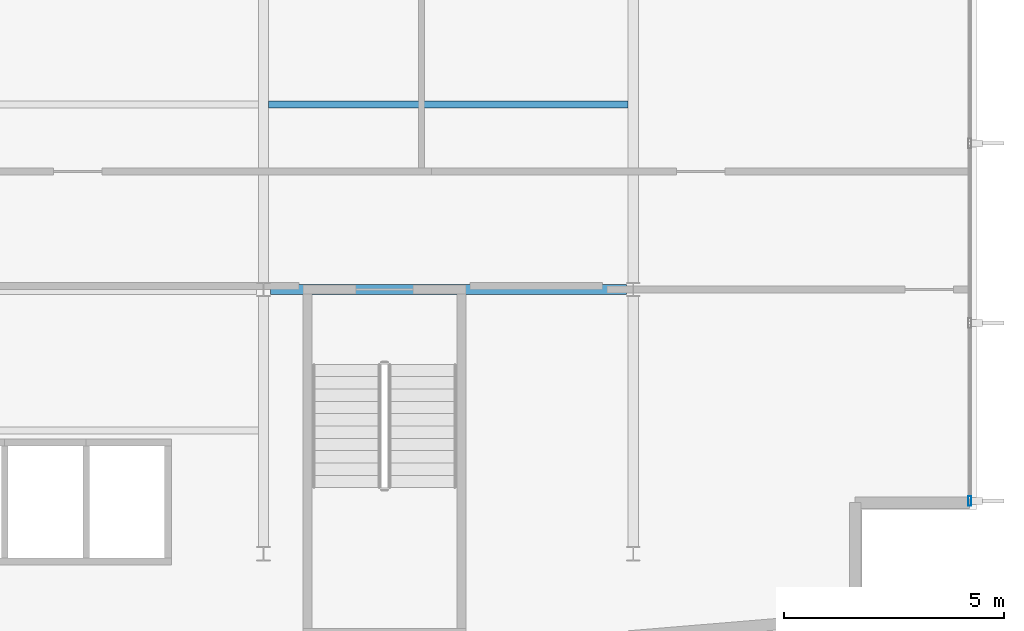
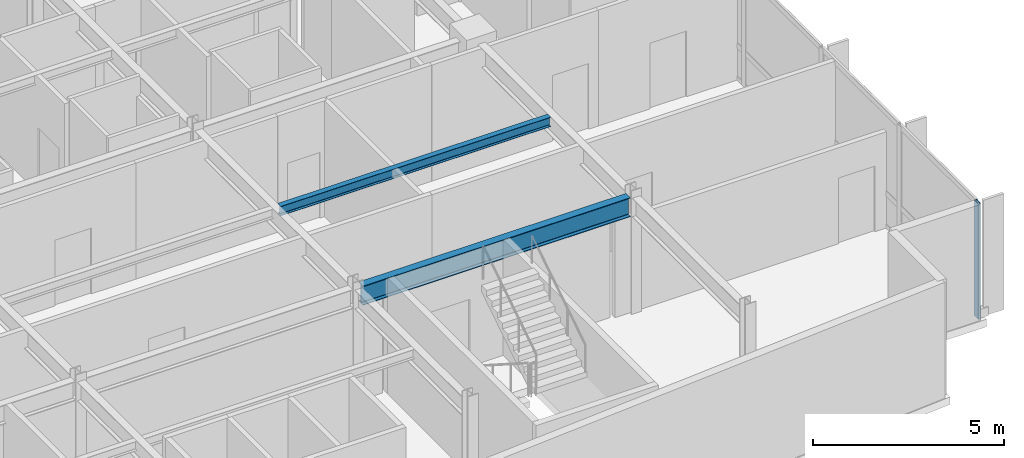
# One storey, part 5 of 22: 2 beams, 1 member, 1 element without a shape of its own.
"""IFC4 building model written with IfcOpenShell, lengths in metres."""

from ifc_helpers import new_model, si_unit, direction, frame, origin, origin_2d, place, context, subcontext, project, spatial, hollow_rectangle, i_section, extrude, material, layer, layer_set, material_profile, profile_set, type_object, element, aggregate, save


model = new_model("IFC4")

# Units and contexts
model_context = context("Model", 3, precision=1e-05, world=origin(), true_north=direction((0.0, 1.0)))
body_context = subcontext(model_context, "Body", "Model", "MODEL_VIEW")
ifc_project = project(units=[si_unit("LENGTHUNIT", "METRE"), si_unit("AREAUNIT", "SQUARE_METRE"), si_unit("VOLUMEUNIT", "CUBIC_METRE"), si_unit("PLANEANGLEUNIT", "RADIAN"), si_unit("MASSUNIT", "GRAM", prefix="KILO")], contexts=[model_context])

# Site, building, storey
site_placement = place(None, origin())
site = spatial("IfcSite", under=ifc_project, at=site_placement, CompositionType="ELEMENT")
building_placement = place(site_placement, origin())
building = spatial("IfcBuilding", under=site, at=building_placement, Name="Varnakote Quay Hospital", CompositionType="ELEMENT")
storey_placement = place(building_placement, frame((0.0, 0.0, 62.0)))
storey = spatial("IfcBuildingStorey", under=building, at=storey_placement, Name="L15", CompositionType="ELEMENT", Elevation=62.0)

# Beam
ifc_material_1 = material(Name="Structural steel AS/NZS 3679.1 Grade 350 L0 (fy 340 MPa)", Category="steel")
ifc_material_profile_1 = material_profile(ifc_material_1, i_section(OverallWidth=0.22900390625, OverallDepth=0.612060546875, WebThickness=0.011962890625, FlangeThickness=0.01953125, FilletRadius=0.013916015625, at=origin_2d()), Name="610UB125")
ifc_profile_set_1 = profile_set([ifc_material_profile_1], Name="Structural steel AS/NZS 3679.1 Grade 350 L0 (fy 340 MPa)")
beam_type_1 = type_object("IfcBeamType", Name="BM-STL-610UB125", PredefinedType="BEAM", material=ifc_profile_set_1)
beam_1_placement = place(storey_placement, frame((42.155517578125, 12.0, 3.404052734375), z_axis=(1.0, 0.0, 0.0), x_axis=(0.0, 1.0, 0.0)))
element("IfcBeam", 1, at=beam_1_placement, inside=storey, type_object=beam_type_1, Name="L15 Primary Floor Beam", PredefinedType="BEAM", context=body_context, shape_type="SweptSolid", body=[
    extrude(i_section(OverallWidth=0.22900390625, OverallDepth=0.612060546875, WebThickness=0.011962890625, FlangeThickness=0.01953125, FilletRadius=0.013916015625, at=origin_2d()), origin(), (0.0, 0.0, 1.0), 8.0888671875),
])

# Curtain wall, member
ifc_material_2 = material(Name="Anodised aluminium 6063-T6 Bronze", Category="aluminium")
ifc_layer = layer(ifc_material_2, 0.18994140625)
ifc_layer_set = layer_set([ifc_layer], Name="Anodised aluminium 6063-T6 Bronze")
curtain_wall_type = type_object("IfcCurtainWallType", Name="CW-SYS-2", PredefinedType="NOTDEFINED", material=ifc_layer_set)
curtain_wall_placement = place(storey_placement, origin())
curtain_wall = element("IfcCurtainWall", 2, at=curtain_wall_placement, inside=storey, type_object=curtain_wall_type, Name="L15 Unitised Bronze Curtain Wall 1", PredefinedType="NOTDEFINED")
ifc_material_3 = material(Name="Anodised aluminium 6063-T6 Bronze", Category="aluminium")
ifc_material_profile_2 = material_profile(ifc_material_3, hollow_rectangle(XDim=0.074951171875, YDim=0.219970703125, WallThickness=0.00439453125, InnerFilletRadius=0.00439453125, OuterFilletRadius=0.009033203125, at=origin_2d()), Name="CW-MULL-220x75")
ifc_profile_set_2 = profile_set([ifc_material_profile_2], Name="Anodised aluminium 6063-T6 Bronze")
member_type = type_object("IfcMemberType", Name="CW-MULL-220x75", PredefinedType="MULLION", material=ifc_profile_set_2)
member_placement = place(storey_placement, frame((58.0400390625, 7.197509765625, 0.0), z_axis=(0.0, 0.0, 1.0), x_axis=(-1.0, 0.0, 0.0)))
member = element("IfcMember", 3, at=member_placement, type_object=member_type, Name="-2-L15-1 mullion 1", PredefinedType="MULLION", context=body_context, shape_type="SweptSolid", body=[
    extrude(hollow_rectangle(XDim=0.074951171875, YDim=0.219970703125, WallThickness=0.00439453125, InnerFilletRadius=0.00439453125, OuterFilletRadius=0.009033203125, at=origin_2d()), origin(), (0.0, 0.0, 1.0), 3.7099609375),
])
aggregate(curtain_wall, [member])

# Beam
ifc_material_4 = material(Name="Structural steel AS/NZS 3679.1 Grade 350 L0 (fy 340 MPa)", Category="steel")
ifc_material_profile_3 = material_profile(ifc_material_4, i_section(OverallWidth=0.1650390625, OverallDepth=0.303955078125, WebThickness=0.006103515625, FlangeThickness=0.01025390625, FilletRadius=0.011474609375, at=origin_2d()), Name="310UB40.4")
ifc_profile_set_3 = profile_set([ifc_material_profile_3], Name="Structural steel AS/NZS 3679.1 Grade 350 L0 (fy 340 MPa)")
beam_type_2 = type_object("IfcBeamType", Name="JST-STL-310UB40-4", PredefinedType="JOIST", material=ifc_profile_set_3)
beam_2_placement = place(storey_placement, frame((42.114501953125, 16.199951171875, 3.55810546875), z_axis=(1.0, 0.0, 0.0), x_axis=(0.0, 1.0, 0.0)))
element("IfcBeam", 4, at=beam_2_placement, inside=storey, type_object=beam_type_2, Name="L15 Composite Floor Joist", PredefinedType="JOIST", context=body_context, shape_type="SweptSolid", body=[
    extrude(i_section(OverallWidth=0.1650390625, OverallDepth=0.303955078125, WebThickness=0.006103515625, FlangeThickness=0.01025390625, FilletRadius=0.011474609375, at=origin_2d()), origin(), (0.0, 0.0, 1.0), 8.1708984375),
])

save(model, "model.ifc")
